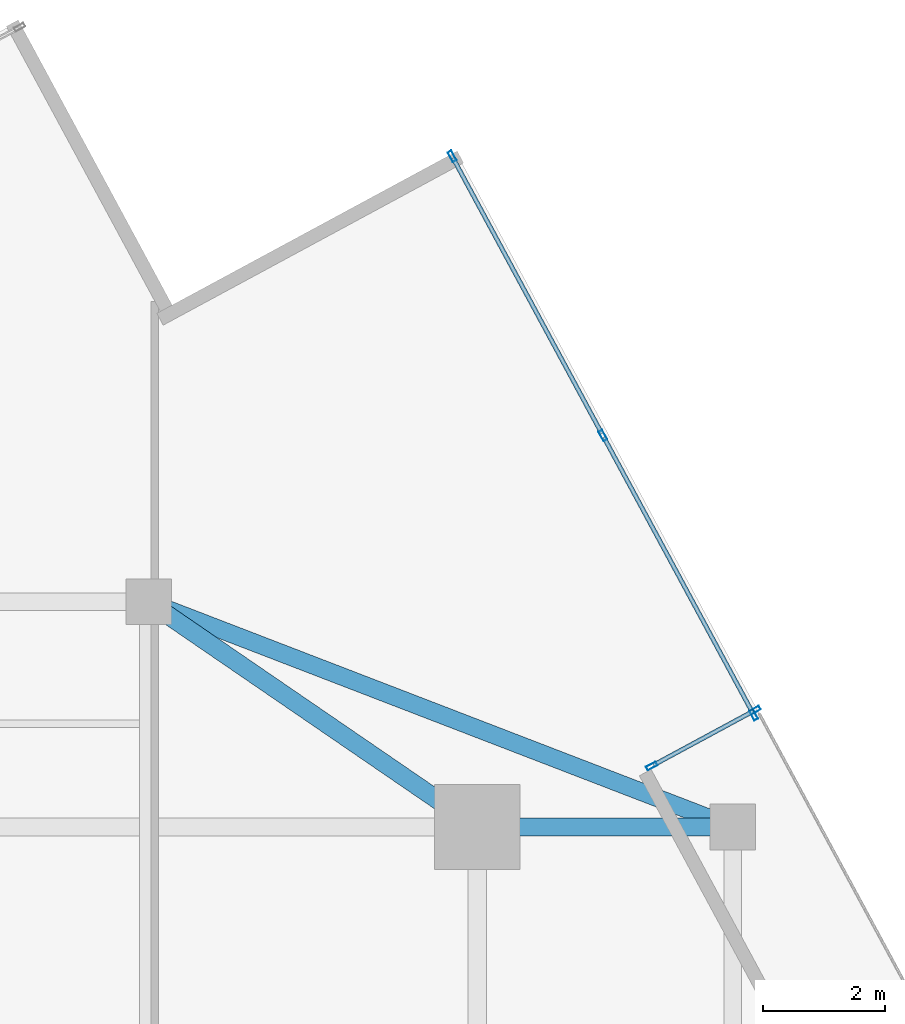
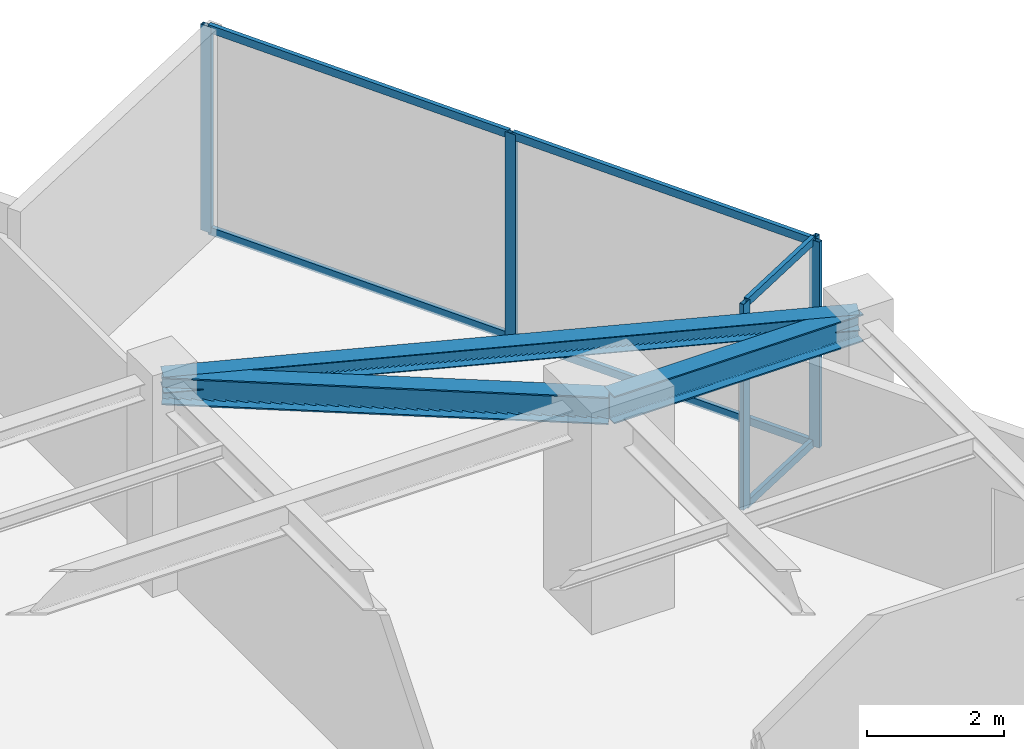
# One storey, part 17 of 22: 11 members, 3 beams, 2 elements without a shape of their own.
"""IFC4 building model written with IfcOpenShell, lengths in metres."""

from ifc_helpers import new_model, si_unit, direction, frame, origin, origin_2d, place, context, subcontext, project, spatial, hollow_rectangle, i_section, extrude, source, transform, mapped, material, material_profile, profile_set, type_object, type_shapes, element, aggregate, save


model = new_model("IFC4")

# Units and contexts
model_context = context("Model", 3, precision=1e-05, world=origin(), true_north=direction((0.0, 1.0)))
body_context = subcontext(model_context, "Body", "Model", "MODEL_VIEW")
ifc_project = project(units=[si_unit("LENGTHUNIT", "METRE"), si_unit("AREAUNIT", "SQUARE_METRE"), si_unit("VOLUMEUNIT", "CUBIC_METRE"), si_unit("PLANEANGLEUNIT", "RADIAN"), si_unit("MASSUNIT", "GRAM", prefix="KILO")], contexts=[model_context])

# Site, building, storey
site_placement = place(None, origin())
site = spatial("IfcSite", under=ifc_project, at=site_placement, CompositionType="ELEMENT")
building_placement = place(site_placement, origin())
building = spatial("IfcBuilding", under=site, at=building_placement, Name="Krantzveldt Concourse Tower", CompositionType="ELEMENT")
storey_placement = place(building_placement, frame((0.0, 0.0, 306.89990234375)))
storey = spatial("IfcBuildingStorey", under=building, at=storey_placement, Name="L75", CompositionType="ELEMENT", Elevation=306.89990234375)

# Beams
ifc_material_1 = material(Name="Steel S355JR", Category="steel")
ifc_material_profile_1 = material_profile(ifc_material_1, i_section(OverallWidth=0.300048828125, OverallDepth=0.489990234375, WebThickness=0.011962890625, FlangeThickness=0.02294921875, FilletRadius=0.027099609375, at=origin_2d()), Name="Steel S355JR", Category="steel")
ifc_profile_set_1 = profile_set([ifc_material_profile_1], Name="Steel S355JR - HEA 500")
beam_type_1 = type_object("IfcBeamType", Name="BM-B-HEA500", PredefinedType="BEAM", material=ifc_profile_set_1)
shared_shape_1 = source(origin(), body_context, "Body", "SweptSolid", [
    extrude(i_section(OverallWidth=0.300048828125, OverallDepth=0.489990234375, WebThickness=0.011962890625, FlangeThickness=0.02294921875, FilletRadius=0.027099609375, at=origin_2d()), origin(), (0.0, 0.0, 1.0), 4.199951171875),
])
beam_1_placement = place(storey_placement, frame((46.800048828125, 37.5, 3.425048828125), z_axis=(1.0, 0.0, 0.0), x_axis=(0.0, 1.0, 0.0)))
element("IfcBeam", 1, at=beam_1_placement, inside=storey, type_object=beam_type_1, Name="L75 Tower Girder BR-RR3", PredefinedType="BEAM", context=body_context, shape_type="MappedRepresentation", body=[
    mapped(shared_shape_1, transform((0.0, 0.0, 0.0), x_axis=(1.0, 0.0, 0.0), y_axis=(0.0, 1.0, 0.0), z_axis=(0.0, 0.0, 1.0), scale=1.0)),
])
shared_shape_2 = source(origin(), body_context, "Body", "SweptSolid", [
    extrude(i_section(OverallWidth=0.300048828125, OverallDepth=0.489990234375, WebThickness=0.011962890625, FlangeThickness=0.02294921875, FilletRadius=0.027099609375, at=origin_2d()), origin(), (0.0, 0.0, 1.0), 6.546142578125),
])
type_shapes(beam_type_1, [shared_shape_1, shared_shape_2])
beam_2_placement = place(storey_placement, frame((46.800048828125, 37.5, 3.425048828125), z_axis=(-0.824942999484, 0.565215930068, 0.0), x_axis=(-0.565215930068, -0.824942999484, 0.0)))
element("IfcBeam", 2, at=beam_2_placement, inside=storey, type_object=beam_type_1, Name="L75 Tower Girder BR-RR4", PredefinedType="BEAM", context=body_context, shape_type="MappedRepresentation", body=[
    mapped(shared_shape_2, transform((0.0, 0.0, 0.0), x_axis=(1.0, 0.0, 0.0), y_axis=(0.0, 1.0, 0.0), z_axis=(0.0, 0.0, 1.0), scale=1.0)),
])
ifc_material_profile_2 = material_profile(ifc_material_1, i_section(OverallWidth=0.2900390625, OverallDepth=0.2900390625, WebThickness=0.008544921875, FlangeThickness=0.013916015625, FilletRadius=0.027099609375, at=origin_2d()), Name="Steel S355JR", Category="steel")
ifc_profile_set_2 = profile_set([ifc_material_profile_2], Name="Steel S355JR - HEA 300")
beam_type_2 = type_object("IfcBeamType", Name="BM-SP-HEA300", PredefinedType="SPANDREL", material=ifc_profile_set_2)
shared_shape_3 = source(origin(), body_context, "Body", "SweptSolid", [
    extrude(i_section(OverallWidth=0.2900390625, OverallDepth=0.2900390625, WebThickness=0.008544921875, FlangeThickness=0.013916015625, FilletRadius=0.027099609375, at=origin_2d()), origin(), (0.0, 0.0, 1.0), 10.288330078125),
])
type_shapes(beam_type_2, [shared_shape_3])
beam_3_placement = place(storey_placement, frame((41.39990234375, 41.199951171875, 3.525146484375), z_axis=(0.933097690408, -0.359622997257, 0.0), x_axis=(0.359622997257, 0.933097690408, 0.0)))
element("IfcBeam", 3, at=beam_3_placement, inside=storey, type_object=beam_type_2, Name="L75 Tower Girder SP-R05", PredefinedType="SPANDREL", context=body_context, shape_type="MappedRepresentation", body=[
    mapped(shared_shape_3, transform((0.0, 0.0, 0.0), x_axis=(1.0, 0.0, 0.0), y_axis=(0.0, 1.0, 0.0), z_axis=(0.0, 0.0, 1.0), scale=1.0)),
])

# Curtain wall, members
ifc_material_2 = material(Name="Anodised aluminium 6063-T6", Category="aluminium")
curtain_wall_type_1 = type_object("IfcCurtainWallType", Name="CW6", PredefinedType="USERDEFINED", material=ifc_material_2)
curtain_wall_1_placement = place(storey_placement, origin())
curtain_wall_1 = element("IfcCurtainWall", 4, at=curtain_wall_1_placement, inside=storey, type_object=curtain_wall_type_1, Name="CW-L75-TR13", ObjectType="UNITISED CURTAIN WALL", PredefinedType="USERDEFINED")
ifc_material_profile_3 = material_profile(ifc_material_2, hollow_rectangle(XDim=0.070068359375, YDim=0.179931640625, WallThickness=0.0048828125, at=origin_2d()), Name="Anodised aluminium 6063-T6", Category="aluminium")
ifc_profile_set_3 = profile_set([ifc_material_profile_3], Name="Anodised aluminium 6063-T6 - ALU-MULL 180x70x5")
member_type_1 = type_object("IfcMemberType", Name="CW-MUL-180", PredefinedType="MULLION", material=ifc_profile_set_3)
shared_shape_4 = source(origin(), body_context, "Body", "SweptSolid", [
    extrude(hollow_rectangle(XDim=0.070068359375, YDim=0.179931640625, WallThickness=0.0048828125, at=origin_2d()), origin(), (0.0, 0.0, 1.0), 3.670166015625),
])
type_shapes(member_type_1, [shared_shape_4])
member_1_placement = place(storey_placement, frame((49.66748046875, 38.50341796875, 0.0), z_axis=(0.0, 0.0, 1.0), x_axis=(-0.475240504079, 0.879855933255, 0.0)))
member_1 = element("IfcMember", 5, at=member_1_placement, type_object=member_type_1, Name="CW-TERR mullion 1", PredefinedType="MULLION", context=body_context, shape_type="MappedRepresentation", body=[
    mapped(shared_shape_4, transform((0.0, 0.0, 0.0), x_axis=(1.0, 0.0, 0.0), y_axis=(0.0, 1.0, 0.0), z_axis=(0.0, 0.0, 1.0), scale=1.0)),
])
member_2_placement = place(storey_placement, frame((51.36572265625, 39.420654296875, 0.0), z_axis=(0.0, 0.0, 1.0), x_axis=(-0.475240504079, 0.879855933255, 0.0)))
member_2 = element("IfcMember", 6, at=member_2_placement, type_object=member_type_1, Name="CW-TERR mullion 2", PredefinedType="MULLION", context=body_context, shape_type="MappedRepresentation", body=[
    mapped(shared_shape_4, transform((0.0, 0.0, 0.0), x_axis=(1.0, 0.0, 0.0), y_axis=(0.0, 1.0, 0.0), z_axis=(0.0, 0.0, 1.0), scale=1.0)),
])

curtain_wall_type_2 = type_object("IfcCurtainWallType", Name="CW4", PredefinedType="USERDEFINED", material=ifc_material_2)
curtain_wall_2_placement = place(storey_placement, origin())
curtain_wall_2 = element("IfcCurtainWall", 7, at=curtain_wall_2_placement, inside=storey, type_object=curtain_wall_type_2, Name="CW-L75-F14", ObjectType="UNITISED CURTAIN WALL", PredefinedType="USERDEFINED")
member_3_placement = place(storey_placement, frame((51.343505859375, 39.34619140625, 0.0), z_axis=(0.0, 0.0, 1.0), x_axis=(-0.879856202129, -0.475240006286, 0.0)))
member_3 = element("IfcMember", 8, at=member_3_placement, type_object=member_type_1, Name="CW-Z56 mullion 1", PredefinedType="MULLION", context=body_context, shape_type="MappedRepresentation", body=[
    mapped(shared_shape_4, transform((0.0, 0.0, 0.0), x_axis=(1.0, 0.0, 0.0), y_axis=(0.0, 1.0, 0.0), z_axis=(0.0, 0.0, 1.0), scale=1.0)),
])
member_4_placement = place(storey_placement, frame((48.864990234375, 43.9345703125, 0.0), z_axis=(0.0, 0.0, 1.0), x_axis=(-0.879856202129, -0.475240006286, 0.0)))
member_4 = element("IfcMember", 9, at=member_4_placement, type_object=member_type_1, Name="CW-Z56 mullion 2", PredefinedType="MULLION", context=body_context, shape_type="MappedRepresentation", body=[
    mapped(shared_shape_4, transform((0.0, 0.0, 0.0), x_axis=(1.0, 0.0, 0.0), y_axis=(0.0, 1.0, 0.0), z_axis=(0.0, 0.0, 1.0), scale=1.0)),
])
member_5_placement = place(storey_placement, frame((46.38671875, 48.523193359375, 0.0), z_axis=(0.0, 0.0, 1.0), x_axis=(-0.879856202129, -0.475240006286, 0.0)))
member_5 = element("IfcMember", 10, at=member_5_placement, type_object=member_type_1, Name="CW-Z56 mullion 3", PredefinedType="MULLION", context=body_context, shape_type="MappedRepresentation", body=[
    mapped(shared_shape_4, transform((0.0, 0.0, 0.0), x_axis=(1.0, 0.0, 0.0), y_axis=(0.0, 1.0, 0.0), z_axis=(0.0, 0.0, 1.0), scale=1.0)),
])

# Member
ifc_material_profile_4 = material_profile(ifc_material_2, hollow_rectangle(XDim=0.070068359375, YDim=0.139892578125, WallThickness=0.0048828125, at=origin_2d()), Name="Anodised aluminium 6063-T6", Category="aluminium")
ifc_profile_set_4 = profile_set([ifc_material_profile_4], Name="Anodised aluminium 6063-T6 - ALU-TRAN 140x70x5")
member_type_2 = type_object("IfcMemberType", Name="CW-TRN-150", PredefinedType="USERDEFINED", material=ifc_profile_set_4)
shared_shape_5 = source(origin(), body_context, "Body", "SweptSolid", [
    extrude(hollow_rectangle(XDim=0.070068359375, YDim=0.139892578125, WallThickness=0.0048828125, at=origin_2d()), origin(), (0.0, 0.0, 1.0), 1.860107421875),
])
member_6_placement = place(storey_placement, frame((49.698486328125, 38.52001953125, 0.03515625), z_axis=(0.879829655395, 0.475289151452, 0.0), x_axis=(-0.475289151452, 0.879829655395, 0.0)))
member_6 = element("IfcMember", 11, at=member_6_placement, type_object=member_type_2, Name="CW-TERR transom 1.1", ObjectType="TRANSOM", PredefinedType="USERDEFINED", context=body_context, shape_type="MappedRepresentation", body=[
    mapped(shared_shape_5, transform((0.0, 0.0, 0.0), x_axis=(1.0, 0.0, 0.0), y_axis=(0.0, 1.0, 0.0), z_axis=(0.0, 0.0, 1.0), scale=1.0)),
])

member_7_placement = place(storey_placement, frame((49.698486328125, 38.52001953125, 3.635009765625), z_axis=(0.879829655395, 0.475289151452, 0.0), x_axis=(-0.475289151452, 0.879829655395, 0.0)))
member_7 = element("IfcMember", 12, at=member_7_placement, type_object=member_type_2, Name="CW-TERR transom 1.2", ObjectType="TRANSOM", PredefinedType="USERDEFINED", context=body_context, shape_type="MappedRepresentation", body=[
    mapped(shared_shape_5, transform((0.0, 0.0, 0.0), x_axis=(1.0, 0.0, 0.0), y_axis=(0.0, 1.0, 0.0), z_axis=(0.0, 0.0, 1.0), scale=1.0)),
])

aggregate(curtain_wall_1, [member_1, member_2, member_6, member_7])

shared_shape_6 = source(origin(), body_context, "Body", "SweptSolid", [
    extrude(hollow_rectangle(XDim=0.070068359375, YDim=0.139892578125, WallThickness=0.0048828125, at=origin_2d()), origin(), (0.0, 0.0, 1.0), 5.14501953125),
])
type_shapes(member_type_2, [shared_shape_5, shared_shape_6])
member_8_placement = place(storey_placement, frame((51.326904296875, 39.376953125, 0.03515625), z_axis=(-0.475270881269, 0.87983952481, 0.0), x_axis=(-0.87983952481, -0.475270881269, 0.0)))
member_8 = element("IfcMember", 13, at=member_8_placement, type_object=member_type_2, Name="CW-Z56 transom 1.1", ObjectType="TRANSOM", PredefinedType="USERDEFINED", context=body_context, shape_type="MappedRepresentation", body=[
    mapped(shared_shape_6, transform((0.0, 0.0, 0.0), x_axis=(1.0, 0.0, 0.0), y_axis=(0.0, 1.0, 0.0), z_axis=(0.0, 0.0, 1.0), scale=1.0)),
])

member_9_placement = place(storey_placement, frame((51.326904296875, 39.376953125, 3.635009765625), z_axis=(-0.475270881269, 0.87983952481, 0.0), x_axis=(-0.87983952481, -0.475270881269, 0.0)))
member_9 = element("IfcMember", 14, at=member_9_placement, type_object=member_type_2, Name="CW-Z56 transom 1.2", ObjectType="TRANSOM", PredefinedType="USERDEFINED", context=body_context, shape_type="MappedRepresentation", body=[
    mapped(shared_shape_6, transform((0.0, 0.0, 0.0), x_axis=(1.0, 0.0, 0.0), y_axis=(0.0, 1.0, 0.0), z_axis=(0.0, 0.0, 1.0), scale=1.0)),
])

member_10_placement = place(storey_placement, frame((48.848388671875, 43.96533203125, 0.03515625), z_axis=(-0.475234147244, 0.87985936677, 0.0), x_axis=(-0.87985936677, -0.475234147244, 0.0)))
member_10 = element("IfcMember", 15, at=member_10_placement, type_object=member_type_2, Name="CW-Z56 transom 2.1", ObjectType="TRANSOM", PredefinedType="USERDEFINED", context=body_context, shape_type="MappedRepresentation", body=[
    mapped(shared_shape_6, transform((0.0, 0.0, 0.0), x_axis=(1.0, 0.0, 0.0), y_axis=(0.0, 1.0, 0.0), z_axis=(0.0, 0.0, 1.0), scale=1.0)),
])

member_11_placement = place(storey_placement, frame((48.848388671875, 43.96533203125, 3.635009765625), z_axis=(-0.475234147244, 0.87985936677, 0.0), x_axis=(-0.87985936677, -0.475234147244, 0.0)))
member_11 = element("IfcMember", 16, at=member_11_placement, type_object=member_type_2, Name="CW-Z56 transom 2.2", ObjectType="TRANSOM", PredefinedType="USERDEFINED", context=body_context, shape_type="MappedRepresentation", body=[
    mapped(shared_shape_6, transform((0.0, 0.0, 0.0), x_axis=(1.0, 0.0, 0.0), y_axis=(0.0, 1.0, 0.0), z_axis=(0.0, 0.0, 1.0), scale=1.0)),
])

aggregate(curtain_wall_2, [member_3, member_4, member_5, member_8, member_9, member_10, member_11])

save(model, "model.ifc")
